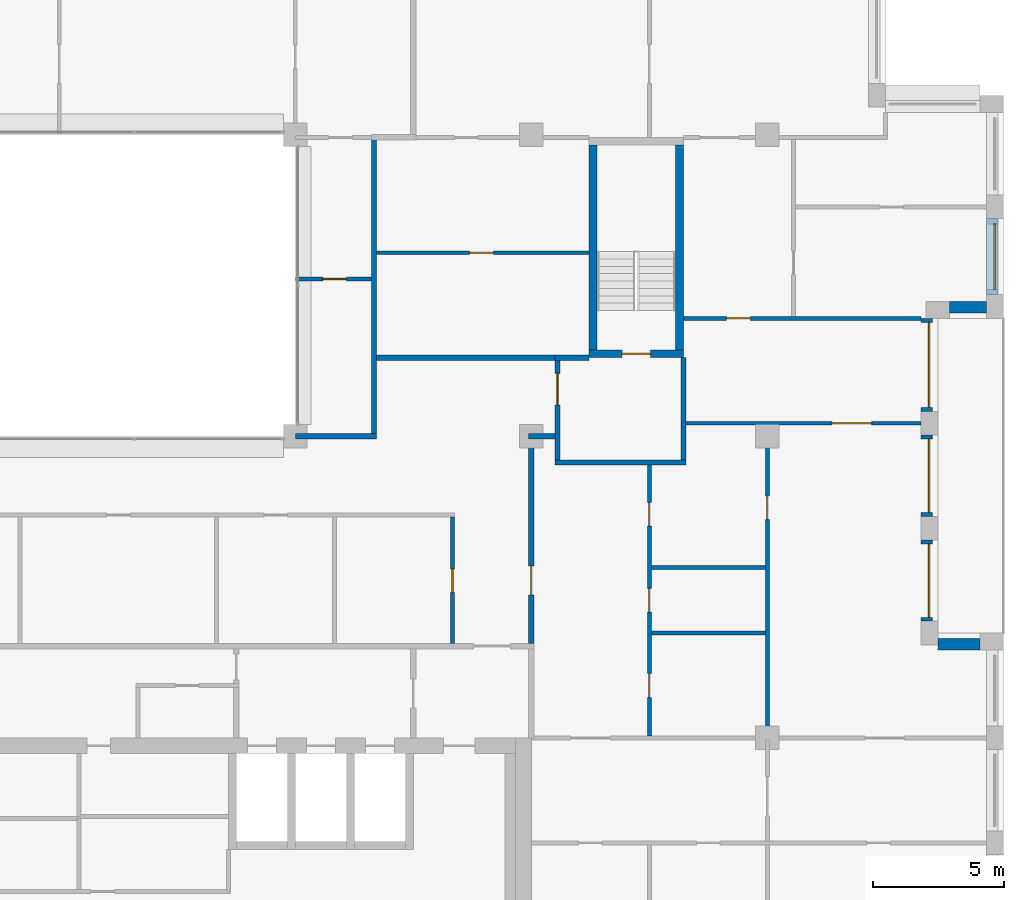
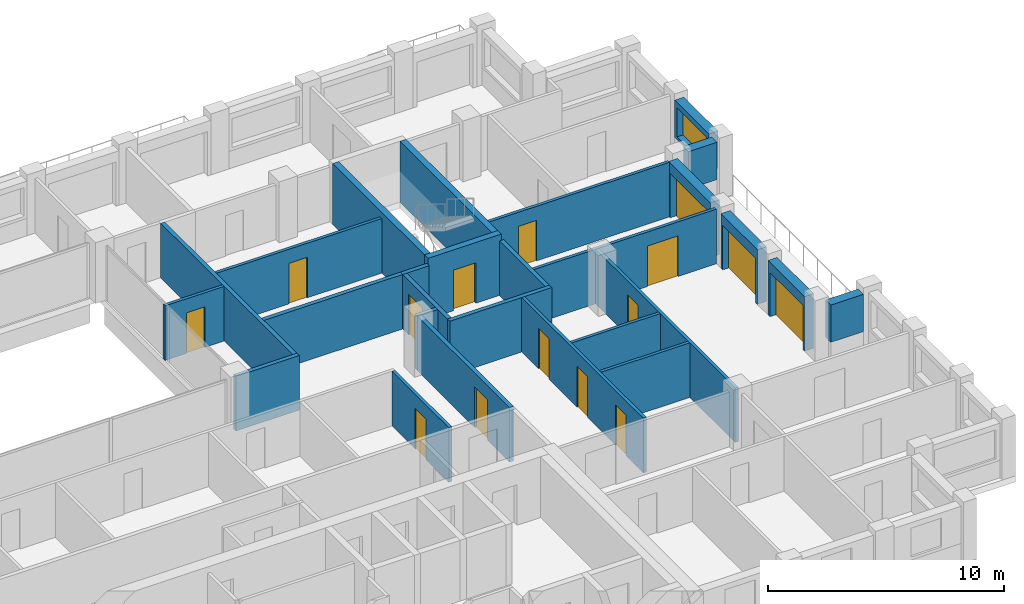
# One storey, part 12 of 15: 27 walls, 15 doors, 1 window, 16 openings.
"""IFC4 building model written with IfcOpenShell, lengths in metres."""

from ifc_helpers import new_model, si_unit, direction, frame, frame_2d, origin, place, context, subcontext, project, spatial, rectangle, extrude, material, layer, layer_set, type_object, element, fill, save


model = new_model("IFC4")

# Units and contexts
model_context = context("Model", 3, precision=1e-05, world=origin(), true_north=direction((0.0, 1.0)))
body_context = subcontext(model_context, "Body", "Model", "MODEL_VIEW")
ifc_project = project(units=[si_unit("LENGTHUNIT", "METRE"), si_unit("AREAUNIT", "SQUARE_METRE"), si_unit("VOLUMEUNIT", "CUBIC_METRE"), si_unit("PLANEANGLEUNIT", "RADIAN"), si_unit("MASSUNIT", "GRAM", prefix="KILO")], contexts=[model_context])

# Site, building, storey
site_placement = place(None, origin())
site = spatial("IfcSite", under=ifc_project, at=site_placement, CompositionType="ELEMENT")
building_placement = place(site_placement, origin())
building = spatial("IfcBuilding", under=site, at=building_placement, Name="Brigalow Station Residences", CompositionType="ELEMENT")
storey_placement = place(building_placement, frame((0.0, 0.0, 229.5)))
storey = spatial("IfcBuildingStorey", under=building, at=storey_placement, Name="L66", CompositionType="ELEMENT", Elevation=229.5)

# Wall
ifc_material_1 = material(Name="Clay brick masonry", Category="masonry")
ifc_layer_1 = layer(ifc_material_1, 0.449951171875)
ifc_layer_set_1 = layer_set([ifc_layer_1], Name="BRICK INFILL WALL 450")
wall_type_1 = type_object("IfcWallType", Name="BRICK INFILL WALL 450", PredefinedType="SOLIDWALL", material=ifc_layer_set_1)
wall_1_placement = place(storey_placement, frame((71.10009765625, 16.074951171875, 0.89990234375), z_axis=(0.0, 0.0, 1.0), x_axis=(-1.0, 0.0, 0.0)))
element("IfcWall", 1, at=wall_1_placement, inside=storey, type_object=wall_type_1, Name="L66/ewall/W-L66-11", PredefinedType="SOLIDWALL", context=body_context, shape_type="SweptSolid", body=[
    extrude(rectangle(XDim=1.60009765625, YDim=0.449951171875, at=frame_2d((0.800048828125, 0.0))), origin(), (0.0, 0.0, 1.0), 1.93017578125),
])

# Wall, opening, door
wall_2_placement = place(storey_placement, frame((69.074951171875, 16.949951171875, 0.0), z_axis=(0.0, 0.0, 1.0), x_axis=(0.0, 1.0, 0.0)))
wall_2 = element("IfcWall", 2, at=wall_2_placement, inside=storey, type_object=wall_type_1, Name="L66/ewall/W-L66-12", PredefinedType="SOLIDWALL", context=body_context, shape_type="SweptSolid", body=[
    extrude(rectangle(XDim=3.10009765625, YDim=0.449951171875, at=frame_2d((1.550048828125, 0.0))), origin(), (0.0, 0.0, 1.0), 2.830078125),
])
opening_1_placement = place(wall_2_placement, frame((0.14990234375, 0.0, 0.0)))
opening_1 = element("IfcOpeningElement", 3, at=opening_1_placement, cuts=wall_2, Name="Opening D-B2800", PredefinedType="OPENING", context=body_context, shape_type="SweptSolid", body=[
    extrude(rectangle(XDim=2.800048828125, YDim=2.300048828125, at=frame_2d((1.39990234375, 1.14990234375))), frame((0.0, 0.23486328125, 0.0), z_axis=(0.0, -1.0, 0.0), x_axis=(1.0, 0.0, 0.0)), (0.0, 0.0, 1.0), 0.469970703125),
])
ifc_material_2 = material(Name="Anodised aluminium frame with double glazing", Category="aluminium")
door_type_1 = type_object("IfcDoorType", Name="BALCONY SLIDING DOOR 2800x2300", OperationType="SLIDING_TO_LEFT", PredefinedType="DOOR", material=ifc_material_2)
door_1_placement = place(opening_1_placement, origin())
door_1 = element("IfcDoor", 4, at=door_1_placement, inside=storey, type_object=door_type_1, Name="L66/balcony-door/W-L66-12", OperationType="SLIDING_TO_LEFT", OverallHeight=2.300048828125, OverallWidth=2.800048828125, PredefinedType="DOOR", context=body_context, shape_type="SweptSolid", body=[
    extrude(rectangle(XDim=2.800048828125, YDim=2.300048828125, at=frame_2d((1.39990234375, 1.14990234375))), frame((0.0, -0.06982421875, 0.0), z_axis=(0.0, -1.0, 0.0), x_axis=(1.0, 0.0, 0.0)), (0.0, 0.0, 1.0), 0.050048828125),
])
fill(opening_1, door_1)

wall_3_placement = place(storey_placement, frame((69.074951171875, 20.949951171875, 0.0), z_axis=(0.0, 0.0, 1.0), x_axis=(0.0, 1.0, 0.0)))
wall_3 = element("IfcWall", 5, at=wall_3_placement, inside=storey, type_object=wall_type_1, Name="L66/ewall/W-L66-13", PredefinedType="SOLIDWALL", context=body_context, shape_type="SweptSolid", body=[
    extrude(rectangle(XDim=3.10009765625, YDim=0.449951171875, at=frame_2d((1.550048828125, 0.0))), origin(), (0.0, 0.0, 1.0), 2.830078125),
])
opening_2_placement = place(wall_3_placement, frame((0.14990234375, 0.0, 0.0)))
opening_2 = element("IfcOpeningElement", 6, at=opening_2_placement, cuts=wall_3, Name="Opening D-B2800", PredefinedType="OPENING", context=body_context, shape_type="SweptSolid", body=[
    extrude(rectangle(XDim=2.800048828125, YDim=2.300048828125, at=frame_2d((1.39990234375, 1.14990234375))), frame((0.0, 0.23486328125, 0.0), z_axis=(0.0, -1.0, 0.0), x_axis=(1.0, 0.0, 0.0)), (0.0, 0.0, 1.0), 0.469970703125),
])
door_2_placement = place(opening_2_placement, origin())
door_2 = element("IfcDoor", 7, at=door_2_placement, inside=storey, type_object=door_type_1, Name="L66/balcony-door/W-L66-13", OperationType="SLIDING_TO_LEFT", OverallHeight=2.300048828125, OverallWidth=2.800048828125, PredefinedType="DOOR", context=body_context, shape_type="SweptSolid", body=[
    extrude(rectangle(XDim=2.800048828125, YDim=2.300048828125, at=frame_2d((1.39990234375, 1.14990234375))), frame((0.0, -0.06982421875, 0.0), z_axis=(0.0, -1.0, 0.0), x_axis=(1.0, 0.0, 0.0)), (0.0, 0.0, 1.0), 0.050048828125),
])
fill(opening_2, door_2)

wall_4_placement = place(storey_placement, frame((69.074951171875, 24.949951171875, 0.0), z_axis=(0.0, 0.0, 1.0), x_axis=(0.0, 1.0, 0.0)))
wall_4 = element("IfcWall", 8, at=wall_4_placement, inside=storey, type_object=wall_type_1, Name="L66/ewall/W-L66-14", PredefinedType="SOLIDWALL", context=body_context, shape_type="SweptSolid", body=[
    extrude(rectangle(XDim=3.550048828125, YDim=0.449951171875, at=frame_2d((1.77490234375, 0.0))), origin(), (0.0, 0.0, 1.0), 2.830078125),
])
opening_3_placement = place(wall_4_placement, frame((0.14990234375, 0.0, 0.0)))
opening_3 = element("IfcOpeningElement", 9, at=opening_3_placement, cuts=wall_4, Name="Opening D-B3250", PredefinedType="OPENING", context=body_context, shape_type="SweptSolid", body=[
    extrude(rectangle(XDim=3.25, YDim=2.300048828125, at=frame_2d((1.625, 1.14990234375))), frame((0.0, 0.23486328125, 0.0), z_axis=(0.0, -1.0, 0.0), x_axis=(1.0, 0.0, 0.0)), (0.0, 0.0, 1.0), 0.469970703125),
])
ifc_material_3 = material(Name="Anodised aluminium frame with double glazing", Category="aluminium")
door_type_2 = type_object("IfcDoorType", Name="BALCONY SLIDING DOOR 3250x2300", OperationType="SLIDING_TO_LEFT", PredefinedType="DOOR", material=ifc_material_3)
door_3_placement = place(opening_3_placement, origin())
door_3 = element("IfcDoor", 10, at=door_3_placement, inside=storey, type_object=door_type_2, Name="L66/balcony-door/W-L66-14", OperationType="SLIDING_TO_LEFT", OverallHeight=2.300048828125, OverallWidth=3.25, PredefinedType="DOOR", context=body_context, shape_type="SweptSolid", body=[
    extrude(rectangle(XDim=3.25, YDim=2.300048828125, at=frame_2d((1.625, 1.14990234375))), frame((0.0, -0.06982421875, 0.0), z_axis=(0.0, -1.0, 0.0), x_axis=(1.0, 0.0, 0.0)), (0.0, 0.0, 1.0), 0.050048828125),
])
fill(opening_3, door_3)

# Wall
wall_5_placement = place(storey_placement, frame((69.949951171875, 28.925048828125, 0.89990234375), z_axis=(0.0, 0.0, 1.0), x_axis=(1.0, 0.0, 0.0)))
element("IfcWall", 11, at=wall_5_placement, inside=storey, type_object=wall_type_1, Name="L66/ewall/W-L66-15", PredefinedType="SOLIDWALL", context=body_context, shape_type="SweptSolid", body=[
    extrude(rectangle(XDim=1.400146484375, YDim=0.449951171875, at=frame_2d((0.7001953125, 0.0))), origin(), (0.0, 0.0, 1.0), 1.93017578125),
])

# Wall, opening, window
wall_6_placement = place(storey_placement, frame((71.574951171875, 29.39990234375, 0.89990234375), z_axis=(0.0, 0.0, 1.0), x_axis=(0.0, 1.0, 0.0)))
wall_6 = element("IfcWall", 12, at=wall_6_placement, inside=storey, type_object=wall_type_1, Name="L66/ewall/W-L66-16", PredefinedType="SOLIDWALL", context=body_context, shape_type="SweptSolid", body=[
    extrude(rectangle(XDim=2.900146484375, YDim=0.449951171875, at=frame_2d((1.4501953125, 0.0))), origin(), (0.0, 0.0, 1.0), 1.93017578125),
])
opening_4_placement = place(wall_6_placement, frame((0.199951171875, 0.0, 0.14990234375)))
opening_4 = element("IfcOpeningElement", 13, at=opening_4_placement, cuts=wall_6, Name="Opening WT-5", PredefinedType="OPENING", context=body_context, shape_type="SweptSolid", body=[
    extrude(rectangle(XDim=2.5, YDim=1.5, at=frame_2d((1.25, 0.75))), frame((0.0, 0.23486328125, 0.0), z_axis=(0.0, -1.0, 0.0), x_axis=(1.0, 0.0, 0.0)), (0.0, 0.0, 1.0), 0.469970703125),
])
ifc_material_4 = material(Name="Anodised aluminium frame with double glazing", Category="aluminium")
window_type = type_object("IfcWindowType", Name="WINDOW 2500x1500", PartitioningType="SINGLE_PANEL", PredefinedType="WINDOW", material=ifc_material_4)
window_placement = place(opening_4_placement, origin())
window = element("IfcWindow", 14, at=window_placement, inside=storey, type_object=window_type, Name="L66/window/W-L66-16", OverallHeight=1.5, OverallWidth=2.5, PartitioningType="SINGLE_PANEL", PredefinedType="WINDOW", context=body_context, shape_type="SweptSolid", body=[
    extrude(rectangle(XDim=2.5, YDim=1.5, at=frame_2d((1.25, 0.75))), frame((0.0, -0.06494140625, 0.0), z_axis=(0.0, -1.0, 0.0), x_axis=(1.0, 0.0, 0.0)), (0.0, 0.0, 1.0), 0.06005859375),
])
fill(opening_4, window)

# Wall, opening, door
ifc_material_5 = material(Name="Concrete C50", Category="concrete")
ifc_layer_2 = layer(ifc_material_5, 0.300048828125)
ifc_layer_set_2 = layer_set([ifc_layer_2], Name="CORE SHEAR WALL 300 C50")
wall_type_2 = type_object("IfcWallType", Name="CORE SHEAR WALL 300 C50", PredefinedType="SHEAR", material=ifc_layer_set_2)
wall_7_placement = place(storey_placement, frame((56.199951171875, 27.14990234375, 0.0), z_axis=(0.0, 0.0, 1.0), x_axis=(1.0, 0.0, 0.0)))
wall_7 = element("IfcWall", 15, at=wall_7_placement, inside=storey, type_object=wall_type_2, Name="CORE WALL ST-S3-S L66", PredefinedType="SHEAR", context=body_context, shape_type="SweptSolid", body=[
    extrude(rectangle(XDim=3.60009765625, YDim=0.300048828125, at=frame_2d((1.800048828125, 0.0))), origin(), (0.0, 0.0, 1.0), 3.14990234375),
])
opening_5_placement = place(wall_7_placement, frame((1.25, 0.0, 0.0)))
opening_5 = element("IfcOpeningElement", 16, at=opening_5_placement, cuts=wall_7, Name="Opening D-5018", PredefinedType="OPENING", context=body_context, shape_type="SweptSolid", body=[
    extrude(rectangle(XDim=1.10009765625, YDim=2.10009765625, at=frame_2d((0.550048828125, 1.050048828125))), frame((0.0, 0.16015625, 0.0), z_axis=(0.0, -1.0, 0.0), x_axis=(1.0, 0.0, 0.0)), (0.0, 0.0, 1.0), 0.320068359375),
])
ifc_material_6 = material(Name="Steel fire door leaf in steel frame", Category="steel")
door_type_3 = type_object("IfcDoorType", Name="STAIR DOOR 1100 x 2100 FD60S", OperationType="SINGLE_SWING_LEFT", PredefinedType="DOOR", material=ifc_material_6)
door_4_placement = place(opening_5_placement, origin())
door_4 = element("IfcDoor", 17, at=door_4_placement, inside=storey, type_object=door_type_3, Name="D-5018", OperationType="SINGLE_SWING_LEFT", OverallHeight=2.10009765625, OverallWidth=1.10009765625, PredefinedType="DOOR", context=body_context, shape_type="SweptSolid", body=[
    extrude(rectangle(XDim=1.10009765625, YDim=2.10009765625, at=frame_2d((0.550048828125, 1.050048828125))), frame((0.0, 0.02490234375, 0.0), z_axis=(0.0, -1.0, 0.0), x_axis=(1.0, 0.0, 0.0)), (0.0, 0.0, 1.0), 0.050048828125),
])
fill(opening_5, door_4)

# Walls
for number, where, z_axis, x_axis, name in (
    (18, (56.35009765625, 27.300048828125, 0.0), (0.0, 0.0, 1.0), (0.0, 1.0, 0.0), "CORE WALL ST-S3-W L66"),
    (19, (59.64990234375, 27.300048828125, 0.0), (0.0, 0.0, 1.0), (0.0, 1.0, 0.0), "CORE WALL ST-S3-E L66"),
):
    element("IfcWall", number, at=place(storey_placement, frame(where, z_axis=z_axis, x_axis=x_axis)), inside=storey, type_object=wall_type_2, Name=name, PredefinedType="SHEAR", context=body_context, shape_type="SweptSolid", body=[
        extrude(rectangle(XDim=7.800048828125, YDim=0.300048828125, at=frame_2d((3.89990234375, 0.0))), origin(), (0.0, 0.0, 1.0), 3.14990234375),
    ])
ifc_material_7 = material(Name="Concrete blockwork", Category="masonry")
ifc_layer_3 = layer(ifc_material_7, 0.199951171875)
ifc_layer_set_3 = layer_set([ifc_layer_3], Name="FIRE RATED CORE PARTITION 200")
wall_type_3 = type_object("IfcWallType", Name="FIRE RATED CORE PARTITION 200", PredefinedType="PARTITIONING", material=ifc_layer_set_3)
wall_8_placement = place(storey_placement, frame((54.89990234375, 23.0, 0.0), z_axis=(0.0, 0.0, 1.0), x_axis=(1.0, 0.0, 0.0)))
element("IfcWall", 20, at=wall_8_placement, inside=storey, type_object=wall_type_3, Name="PW-5024", PredefinedType="PARTITIONING", context=body_context, shape_type="SweptSolid", body=[
    extrude(rectangle(XDim=5.0, YDim=0.199951171875, at=frame_2d((2.5, 0.0))), origin(), (0.0, 0.0, 1.0), 2.830078125),
])
wall_9_placement = place(storey_placement, frame((54.89990234375, 27.0, 0.0), z_axis=(0.0, 0.0, 1.0), x_axis=(1.0, 0.0, 0.0)))
element("IfcWall", 21, at=wall_9_placement, inside=storey, type_object=wall_type_3, Name="PW-5026", PredefinedType="PARTITIONING", context=body_context, shape_type="SweptSolid", body=[
    extrude(rectangle(XDim=1.300048828125, YDim=0.199951171875, at=frame_2d((0.64990234375, 0.0))), origin(), (0.0, 0.0, 1.0), 2.830078125),
])

# Wall, opening, door
wall_10_placement = place(storey_placement, frame((55.0, 23.10009765625, 0.0), z_axis=(0.0, 0.0, 1.0), x_axis=(0.0, 1.0, 0.0)))
wall_10 = element("IfcWall", 22, at=wall_10_placement, inside=storey, type_object=wall_type_3, Name="PW-5036", PredefinedType="PARTITIONING", context=body_context, shape_type="SweptSolid", body=[
    extrude(rectangle(XDim=3.7998046875, YDim=0.199951171875, at=frame_2d((1.89990234375, 0.0))), origin(), (0.0, 0.0, 1.0), 2.830078125),
])
opening_6_placement = place(wall_10_placement, frame((2.10009765625, 0.0, 0.0)))
opening_6 = element("IfcOpeningElement", 23, at=opening_6_placement, cuts=wall_10, Name="Opening D-5019", PredefinedType="OPENING", context=body_context, shape_type="SweptSolid", body=[
    extrude(rectangle(XDim=1.199951171875, YDim=2.10009765625, at=frame_2d((0.60009765625, 1.050048828125))), frame((0.0, 0.10986328125, 0.0), z_axis=(0.0, -1.0, 0.0), x_axis=(1.0, 0.0, 0.0)), (0.0, 0.0, 1.0), 0.219970703125),
])
ifc_material_8 = material(Name="Steel fire door leaf in steel frame", Category="steel")
door_type_4 = type_object("IfcDoorType", Name="STAIR LOBBY DOOR 1200 x 2100 FD60S", OperationType="SINGLE_SWING_LEFT", PredefinedType="DOOR", material=ifc_material_8)
door_5_placement = place(opening_6_placement, frame((1.199951171875, 0.0, 0.0), z_axis=(0.0, 0.0, 1.0), x_axis=(-1.0, 0.0, 0.0)))
door_5 = element("IfcDoor", 24, at=door_5_placement, inside=storey, type_object=door_type_4, Name="D-5019", OperationType="SINGLE_SWING_LEFT", OverallHeight=2.10009765625, OverallWidth=1.199951171875, PredefinedType="DOOR", context=body_context, shape_type="SweptSolid", body=[
    extrude(rectangle(XDim=1.199951171875, YDim=2.10009765625, at=frame_2d((0.60009765625, 1.050048828125))), frame((0.0, 0.02490234375, 0.0), z_axis=(0.0, -1.0, 0.0), x_axis=(1.0, 0.0, 0.0)), (0.0, 0.0, 1.0), 0.050048828125),
])
fill(opening_6, door_5)

# Walls
wall_11_placement = place(storey_placement, frame((59.800048828125, 23.10009765625, 0.0), z_axis=(0.0, 0.0, 1.0), x_axis=(0.0, 1.0, 0.0)))
element("IfcWall", 25, at=wall_11_placement, inside=storey, type_object=wall_type_3, Name="PW-5037", PredefinedType="PARTITIONING", context=body_context, shape_type="SweptSolid", body=[
    extrude(rectangle(XDim=3.89990234375, YDim=0.199951171875, at=frame_2d((1.949951171875, 0.0))), origin(), (0.0, 0.0, 1.0), 2.830078125),
])
ifc_material_9 = material(Name="Plasterboard on steel stud partition", Category="steel")
ifc_layer_4 = layer(ifc_material_9, 0.14990234375)
ifc_layer_set_4 = layer_set([ifc_layer_4], Name="FLAT PARTITION 150")
wall_type_4 = type_object("IfcWallType", Name="FLAT PARTITION 150", PredefinedType="PARTITIONING", material=ifc_layer_set_4)
wall_12_placement = place(storey_placement, frame((58.574951171875, 16.5, 0.0), z_axis=(0.0, 0.0, 1.0), x_axis=(1.0, 0.0, 0.0)))
element("IfcWall", 26, at=wall_12_placement, inside=storey, type_object=wall_type_4, Name="PW-4E10", PredefinedType="PARTITIONING", context=body_context, shape_type="SweptSolid", body=[
    extrude(rectangle(XDim=4.35009765625, YDim=0.14990234375, at=frame_2d((2.175048828125, 0.0))), origin(), (0.0, 0.0, 1.0), 2.830078125),
])

# Wall, opening, door
wall_13_placement = place(storey_placement, frame((45.0, 30.0, 0.0), z_axis=(0.0, 0.0, 1.0), x_axis=(1.0, 0.0, 0.0)))
wall_13 = element("IfcWall", 27, at=wall_13_placement, inside=storey, type_object=wall_type_4, Name="PW-4E18", PredefinedType="PARTITIONING", context=body_context, shape_type="SweptSolid", body=[
    extrude(rectangle(XDim=2.89990234375, YDim=0.14990234375, at=frame_2d((1.449951171875, 0.0))), origin(), (0.0, 0.0, 1.0), 2.830078125),
])
opening_7_placement = place(wall_13_placement, frame((1.050048828125, 0.0, 0.0)))
opening_7 = element("IfcOpeningElement", 28, at=opening_7_placement, cuts=wall_13, Name="Opening D-4E23", PredefinedType="OPENING", context=body_context, shape_type="SweptSolid", body=[
    extrude(rectangle(XDim=0.89990234375, YDim=2.10009765625, at=frame_2d((0.449951171875, 1.050048828125))), frame((0.0, 0.0849609375, 0.0), z_axis=(0.0, -1.0, 0.0), x_axis=(1.0, 0.0, 0.0)), (0.0, 0.0, 1.0), 0.169921875),
])
ifc_material_10 = material(Name="Solid-core timber door leaf", Category="wood")
door_type_5 = type_object("IfcDoorType", Name="INTERNAL DOOR 900 x 2100", OperationType="SINGLE_SWING_LEFT", PredefinedType="DOOR", material=ifc_material_10)
door_6_placement = place(opening_7_placement, origin())
door_6 = element("IfcDoor", 29, at=door_6_placement, inside=storey, type_object=door_type_5, Name="D-4E23", OperationType="SINGLE_SWING_RIGHT", OverallHeight=2.10009765625, OverallWidth=0.89990234375, PredefinedType="DOOR", context=body_context, shape_type="SweptSolid", body=[
    extrude(rectangle(XDim=0.89990234375, YDim=2.10009765625, at=frame_2d((0.449951171875, 1.050048828125))), frame((0.0, 0.02490234375, 0.0), z_axis=(0.0, -1.0, 0.0), x_axis=(1.0, 0.0, 0.0)), (0.0, 0.0, 1.0), 0.050048828125),
])
fill(opening_7, door_6)

wall_14_placement = place(storey_placement, frame((48.10009765625, 31.0, 0.0), z_axis=(0.0, 0.0, 1.0), x_axis=(1.0, 0.0, 0.0)))
wall_14 = element("IfcWall", 30, at=wall_14_placement, inside=storey, type_object=wall_type_4, Name="PW-4E25", PredefinedType="PARTITIONING", context=body_context, shape_type="SweptSolid", body=[
    extrude(rectangle(XDim=8.099853515625, YDim=0.14990234375, at=frame_2d((4.0498046875, 0.0))), origin(), (0.0, 0.0, 1.0), 2.830078125),
])
opening_8_placement = place(wall_14_placement, frame((3.550048828125, 0.0, 0.0)))
opening_8 = element("IfcOpeningElement", 31, at=opening_8_placement, cuts=wall_14, Name="Opening D-4E43", PredefinedType="OPENING", context=body_context, shape_type="SweptSolid", body=[
    extrude(rectangle(XDim=0.89990234375, YDim=2.10009765625, at=frame_2d((0.449951171875, 1.050048828125))), frame((0.0, 0.0849609375, 0.0), z_axis=(0.0, -1.0, 0.0), x_axis=(1.0, 0.0, 0.0)), (0.0, 0.0, 1.0), 0.169921875),
])
door_7_placement = place(opening_8_placement, frame((0.89990234375, 0.0, 0.0), z_axis=(0.0, 0.0, 1.0), x_axis=(-1.0, 0.0, 0.0)))
door_7 = element("IfcDoor", 32, at=door_7_placement, inside=storey, type_object=door_type_5, Name="D-4E43", OperationType="SINGLE_SWING_RIGHT", OverallHeight=2.10009765625, OverallWidth=0.89990234375, PredefinedType="DOOR", context=body_context, shape_type="SweptSolid", body=[
    extrude(rectangle(XDim=0.89990234375, YDim=2.10009765625, at=frame_2d((0.449951171875, 1.050048828125))), frame((0.0, 0.02490234375, 0.0), z_axis=(0.0, -1.0, 0.0), x_axis=(1.0, 0.0, 0.0)), (0.0, 0.0, 1.0), 0.050048828125),
])
fill(opening_8, door_7)

# Wall
wall_15_placement = place(storey_placement, frame((58.574951171875, 19.0, 0.0), z_axis=(0.0, 0.0, 1.0), x_axis=(1.0, 0.0, 0.0)))
element("IfcWall", 33, at=wall_15_placement, inside=storey, type_object=wall_type_4, Name="PW-4E28", PredefinedType="PARTITIONING", context=body_context, shape_type="SweptSolid", body=[
    extrude(rectangle(XDim=4.35009765625, YDim=0.14990234375, at=frame_2d((2.175048828125, 0.0))), origin(), (0.0, 0.0, 1.0), 2.830078125),
])

# Wall, opening, door
wall_16_placement = place(storey_placement, frame((59.89990234375, 24.5, 0.0), z_axis=(0.0, 0.0, 1.0), x_axis=(1.0, 0.0, 0.0)))
wall_16 = element("IfcWall", 34, at=wall_16_placement, inside=storey, type_object=wall_type_4, Name="PW-4E29", PredefinedType="PARTITIONING", context=body_context, shape_type="SweptSolid", body=[
    extrude(rectangle(XDim=8.9501953125, YDim=0.14990234375, at=frame_2d((4.47509765625, 0.0))), origin(), (0.0, 0.0, 1.0), 2.830078125),
])
opening_9_placement = place(wall_16_placement, frame((5.574951171875, 0.0, 0.0)))
opening_9 = element("IfcOpeningElement", 35, at=opening_9_placement, cuts=wall_16, Name="Opening D-4E36", PredefinedType="OPENING", context=body_context, shape_type="SweptSolid", body=[
    extrude(rectangle(XDim=1.5, YDim=2.10009765625, at=frame_2d((0.75, 1.050048828125))), frame((0.0, 0.0849609375, 0.0), z_axis=(0.0, -1.0, 0.0), x_axis=(1.0, 0.0, 0.0)), (0.0, 0.0, 1.0), 0.169921875),
])
ifc_material_11 = material(Name="Solid-core timber door leaf", Category="wood")
door_type_6 = type_object("IfcDoorType", Name="INTERNAL DOUBLE DOOR 1500 x 2100", OperationType="DOUBLE_DOOR_SINGLE_SWING", PredefinedType="DOOR", material=ifc_material_11)
door_8_placement = place(opening_9_placement, origin())
door_8 = element("IfcDoor", 36, at=door_8_placement, inside=storey, type_object=door_type_6, Name="D-4E36", OperationType="DOUBLE_DOOR_SINGLE_SWING", OverallHeight=2.10009765625, OverallWidth=1.5, PredefinedType="DOOR", context=body_context, shape_type="SweptSolid", body=[
    extrude(rectangle(XDim=1.5, YDim=2.10009765625, at=frame_2d((0.75, 1.050048828125))), frame((0.0, 0.02490234375, 0.0), z_axis=(0.0, -1.0, 0.0), x_axis=(1.0, 0.0, 0.0)), (0.0, 0.0, 1.0), 0.050048828125),
])
fill(opening_9, door_8)

wall_17_placement = place(storey_placement, frame((59.800048828125, 28.5, 0.0), z_axis=(0.0, 0.0, 1.0), x_axis=(1.0, 0.0, 0.0)))
wall_17 = element("IfcWall", 37, at=wall_17_placement, inside=storey, type_object=wall_type_4, Name="PW-4E30", PredefinedType="PARTITIONING", context=body_context, shape_type="SweptSolid", body=[
    extrude(rectangle(XDim=9.050048828125, YDim=0.14990234375, at=frame_2d((4.52490234375, 0.0))), origin(), (0.0, 0.0, 1.0), 2.830078125),
])
opening_10_placement = place(wall_17_placement, frame((1.64990234375, 0.0, 0.0)))
opening_10 = element("IfcOpeningElement", 38, at=opening_10_placement, cuts=wall_17, Name="Opening D-4E37", PredefinedType="OPENING", context=body_context, shape_type="SweptSolid", body=[
    extrude(rectangle(XDim=0.89990234375, YDim=2.10009765625, at=frame_2d((0.449951171875, 1.050048828125))), frame((0.0, 0.0849609375, 0.0), z_axis=(0.0, -1.0, 0.0), x_axis=(1.0, 0.0, 0.0)), (0.0, 0.0, 1.0), 0.169921875),
])
door_9_placement = place(opening_10_placement, frame((0.89990234375, 0.0, 0.0), z_axis=(0.0, 0.0, 1.0), x_axis=(-1.0, 0.0, 0.0)))
door_9 = element("IfcDoor", 39, at=door_9_placement, inside=storey, type_object=door_type_5, Name="D-4E37", OperationType="SINGLE_SWING_RIGHT", OverallHeight=2.10009765625, OverallWidth=0.89990234375, PredefinedType="DOOR", context=body_context, shape_type="SweptSolid", body=[
    extrude(rectangle(XDim=0.89990234375, YDim=2.10009765625, at=frame_2d((0.449951171875, 1.050048828125))), frame((0.0, 0.02490234375, 0.0), z_axis=(0.0, -1.0, 0.0), x_axis=(1.0, 0.0, 0.0)), (0.0, 0.0, 1.0), 0.050048828125),
])
fill(opening_10, door_9)

wall_18_placement = place(storey_placement, frame((51.0, 16.10009765625, 0.0), z_axis=(0.0, 0.0, 1.0), x_axis=(0.0, 1.0, 0.0)))
wall_18 = element("IfcWall", 40, at=wall_18_placement, inside=storey, type_object=wall_type_4, Name="PW-4E35", PredefinedType="PARTITIONING", context=body_context, shape_type="SweptSolid", body=[
    extrude(rectangle(XDim=4.824951171875, YDim=0.14990234375, at=frame_2d((2.41259765625, 0.0))), origin(), (0.0, 0.0, 1.0), 2.830078125),
])
opening_11_placement = place(wall_18_placement, frame((1.949951171875, 0.0, 0.0)))
opening_11 = element("IfcOpeningElement", 41, at=opening_11_placement, cuts=wall_18, Name="Opening D-4E49", PredefinedType="OPENING", context=body_context, shape_type="SweptSolid", body=[
    extrude(rectangle(XDim=0.89990234375, YDim=2.10009765625, at=frame_2d((0.449951171875, 1.050048828125))), frame((0.0, 0.0849609375, 0.0), z_axis=(0.0, -1.0, 0.0), x_axis=(1.0, 0.0, 0.0)), (0.0, 0.0, 1.0), 0.169921875),
])
door_10_placement = place(opening_11_placement, origin())
door_10 = element("IfcDoor", 42, at=door_10_placement, inside=storey, type_object=door_type_5, Name="D-4E49", OperationType="SINGLE_SWING_LEFT", OverallHeight=2.10009765625, OverallWidth=0.89990234375, PredefinedType="DOOR", context=body_context, shape_type="SweptSolid", body=[
    extrude(rectangle(XDim=0.89990234375, YDim=2.10009765625, at=frame_2d((0.449951171875, 1.050048828125))), frame((0.0, 0.02490234375, 0.0), z_axis=(0.0, -1.0, 0.0), x_axis=(1.0, 0.0, 0.0)), (0.0, 0.0, 1.0), 0.050048828125),
])
fill(opening_11, door_10)

# Wall, openings, doors
wall_19_placement = place(storey_placement, frame((58.5, 12.574951171875, 0.0), z_axis=(0.0, 0.0, 1.0), x_axis=(0.0, 1.0, 0.0)))
wall_19 = element("IfcWall", 43, at=wall_19_placement, inside=storey, type_object=wall_type_4, Name="PW-4E47", PredefinedType="PARTITIONING", context=body_context, shape_type="SweptSolid", body=[
    extrude(rectangle(XDim=10.324951171875, YDim=0.14990234375, at=frame_2d((5.16259765625, 0.0))), origin(), (0.0, 0.0, 1.0), 2.830078125),
])
opening_12_placement = place(wall_19_placement, frame((1.47509765625, 0.0, 0.0)))
opening_12 = element("IfcOpeningElement", 44, at=opening_12_placement, cuts=wall_19, Name="Opening D-4E26", PredefinedType="OPENING", context=body_context, shape_type="SweptSolid", body=[
    extrude(rectangle(XDim=0.89990234375, YDim=2.10009765625, at=frame_2d((0.449951171875, 1.050048828125))), frame((0.0, 0.0849609375, 0.0), z_axis=(0.0, -1.0, 0.0), x_axis=(1.0, 0.0, 0.0)), (0.0, 0.0, 1.0), 0.169921875),
])
opening_13_placement = place(wall_19_placement, frame((4.72509765625, 0.0, 0.0)))
opening_13 = element("IfcOpeningElement", 45, at=opening_13_placement, cuts=wall_19, Name="Opening D-4E27", PredefinedType="OPENING", context=body_context, shape_type="SweptSolid", body=[
    extrude(rectangle(XDim=0.89990234375, YDim=2.10009765625, at=frame_2d((0.449951171875, 1.050048828125))), frame((0.0, 0.0849609375, 0.0), z_axis=(0.0, -1.0, 0.0), x_axis=(1.0, 0.0, 0.0)), (0.0, 0.0, 1.0), 0.169921875),
])
opening_14_placement = place(wall_19_placement, frame((8.0, 0.0, 0.0)))
opening_14 = element("IfcOpeningElement", 46, at=opening_14_placement, cuts=wall_19, Name="Opening D-4E34", PredefinedType="OPENING", context=body_context, shape_type="SweptSolid", body=[
    extrude(rectangle(XDim=0.89990234375, YDim=2.10009765625, at=frame_2d((0.449951171875, 1.050048828125))), frame((0.0, 0.0849609375, 0.0), z_axis=(0.0, -1.0, 0.0), x_axis=(1.0, 0.0, 0.0)), (0.0, 0.0, 1.0), 0.169921875),
])
door_11_placement = place(opening_12_placement, frame((0.89990234375, 0.0, 0.0), z_axis=(0.0, 0.0, 1.0), x_axis=(-1.0, 0.0, 0.0)))
door_11 = element("IfcDoor", 47, at=door_11_placement, inside=storey, type_object=door_type_5, Name="D-4E26", OperationType="SINGLE_SWING_RIGHT", OverallHeight=2.10009765625, OverallWidth=0.89990234375, PredefinedType="DOOR", context=body_context, shape_type="SweptSolid", body=[
    extrude(rectangle(XDim=0.89990234375, YDim=2.10009765625, at=frame_2d((0.449951171875, 1.050048828125))), frame((0.0, 0.02490234375, 0.0), z_axis=(0.0, -1.0, 0.0), x_axis=(1.0, 0.0, 0.0)), (0.0, 0.0, 1.0), 0.050048828125),
])
fill(opening_12, door_11)
door_12_placement = place(opening_13_placement, frame((0.89990234375, 0.0, 0.0), z_axis=(0.0, 0.0, 1.0), x_axis=(-1.0, 0.0, 0.0)))
door_12 = element("IfcDoor", 48, at=door_12_placement, inside=storey, type_object=door_type_5, Name="D-4E27", OperationType="SINGLE_SWING_LEFT", OverallHeight=2.10009765625, OverallWidth=0.89990234375, PredefinedType="DOOR", context=body_context, shape_type="SweptSolid", body=[
    extrude(rectangle(XDim=0.89990234375, YDim=2.10009765625, at=frame_2d((0.449951171875, 1.050048828125))), frame((0.0, 0.02490234375, 0.0), z_axis=(0.0, -1.0, 0.0), x_axis=(1.0, 0.0, 0.0)), (0.0, 0.0, 1.0), 0.050048828125),
])
fill(opening_13, door_12)
door_13_placement = place(opening_14_placement, frame((0.89990234375, 0.0, 0.0), z_axis=(0.0, 0.0, 1.0), x_axis=(-1.0, 0.0, 0.0)))
door_13 = element("IfcDoor", 49, at=door_13_placement, inside=storey, type_object=door_type_5, Name="D-4E34", OperationType="SINGLE_SWING_LEFT", OverallHeight=2.10009765625, OverallWidth=0.89990234375, PredefinedType="DOOR", context=body_context, shape_type="SweptSolid", body=[
    extrude(rectangle(XDim=0.89990234375, YDim=2.10009765625, at=frame_2d((0.449951171875, 1.050048828125))), frame((0.0, 0.02490234375, 0.0), z_axis=(0.0, -1.0, 0.0), x_axis=(1.0, 0.0, 0.0)), (0.0, 0.0, 1.0), 0.050048828125),
])
fill(opening_14, door_13)

# Wall, opening, door
wall_20_placement = place(storey_placement, frame((63.0, 12.574951171875, 0.0), z_axis=(0.0, 0.0, 1.0), x_axis=(0.0, 1.0, 0.0)))
wall_20 = element("IfcWall", 50, at=wall_20_placement, inside=storey, type_object=wall_type_4, Name="PW-4E51", PredefinedType="PARTITIONING", context=body_context, shape_type="SweptSolid", body=[
    extrude(rectangle(XDim=11.85009765625, YDim=0.14990234375, at=frame_2d((5.925048828125, 0.0))), origin(), (0.0, 0.0, 1.0), 2.830078125),
])
opening_15_placement = place(wall_20_placement, frame((8.25, 0.0, 0.0)))
opening_15 = element("IfcOpeningElement", 51, at=opening_15_placement, cuts=wall_20, Name="Opening D-4E35", PredefinedType="OPENING", context=body_context, shape_type="SweptSolid", body=[
    extrude(rectangle(XDim=0.89990234375, YDim=2.10009765625, at=frame_2d((0.449951171875, 1.050048828125))), frame((0.0, 0.0849609375, 0.0), z_axis=(0.0, -1.0, 0.0), x_axis=(1.0, 0.0, 0.0)), (0.0, 0.0, 1.0), 0.169921875),
])
door_14_placement = place(opening_15_placement, origin())
door_14 = element("IfcDoor", 52, at=door_14_placement, inside=storey, type_object=door_type_5, Name="D-4E35", OperationType="SINGLE_SWING_LEFT", OverallHeight=2.10009765625, OverallWidth=0.89990234375, PredefinedType="DOOR", context=body_context, shape_type="SweptSolid", body=[
    extrude(rectangle(XDim=0.89990234375, YDim=2.10009765625, at=frame_2d((0.449951171875, 1.050048828125))), frame((0.0, 0.02490234375, 0.0), z_axis=(0.0, -1.0, 0.0), x_axis=(1.0, 0.0, 0.0)), (0.0, 0.0, 1.0), 0.050048828125),
])
fill(opening_15, door_14)

# Walls
ifc_material_12 = material(Name="Plasterboard on steel stud partition", Category="steel")
ifc_layer_5 = layer(ifc_material_12, 0.199951171875)
ifc_layer_set_5 = layer_set([ifc_layer_5], Name="PARTY AND CORRIDOR WALL 200")
wall_type_5 = type_object("IfcWallType", Name="PARTY AND CORRIDOR WALL 200", PredefinedType="PARTITIONING", material=ifc_layer_set_5)
wall_21_placement = place(storey_placement, frame((45.0, 24.0, 0.0), z_axis=(0.0, 0.0, 1.0), x_axis=(1.0, 0.0, 0.0)))
element("IfcWall", 53, at=wall_21_placement, inside=storey, type_object=wall_type_5, Name="PW-4E03", PredefinedType="PARTITIONING", context=body_context, shape_type="SweptSolid", body=[
    extrude(rectangle(XDim=3.10009765625, YDim=0.199951171875, at=frame_2d((1.550048828125, 0.0))), origin(), (0.0, 0.0, 1.0), 2.830078125),
])
wall_22_placement = place(storey_placement, frame((53.89990234375, 24.0, 0.0), z_axis=(0.0, 0.0, 1.0), x_axis=(1.0, 0.0, 0.0)))
element("IfcWall", 54, at=wall_22_placement, inside=storey, type_object=wall_type_5, Name="PW-4E04", PredefinedType="PARTITIONING", context=body_context, shape_type="SweptSolid", body=[
    extrude(rectangle(XDim=1.0, YDim=0.199951171875, at=frame_2d((0.5, 0.0))), origin(), (0.0, 0.0, 1.0), 2.830078125),
])
wall_23_placement = place(storey_placement, frame((48.10009765625, 27.0, 0.0), z_axis=(0.0, 0.0, 1.0), x_axis=(1.0, 0.0, 0.0)))
element("IfcWall", 55, at=wall_23_placement, inside=storey, type_object=wall_type_5, Name="PW-4E07", PredefinedType="PARTITIONING", context=body_context, shape_type="SweptSolid", body=[
    extrude(rectangle(XDim=6.7998046875, YDim=0.199951171875, at=frame_2d((3.39990234375, 0.0))), origin(), (0.0, 0.0, 1.0), 2.830078125),
])

# Wall, opening, door
wall_24_placement = place(storey_placement, frame((54.0, 16.10009765625, 0.0), z_axis=(0.0, 0.0, 1.0), x_axis=(0.0, 1.0, 0.0)))
wall_24 = element("IfcWall", 56, at=wall_24_placement, inside=storey, type_object=wall_type_5, Name="PW-4E33", PredefinedType="PARTITIONING", context=body_context, shape_type="SweptSolid", body=[
    extrude(rectangle(XDim=7.7998046875, YDim=0.199951171875, at=frame_2d((3.89990234375, 0.0))), origin(), (0.0, 0.0, 1.0), 2.830078125),
])
opening_16_placement = place(wall_24_placement, frame((1.85009765625, 0.0, 0.0)))
opening_16 = element("IfcOpeningElement", 57, at=opening_16_placement, cuts=wall_24, Name="Opening D-4E24", PredefinedType="OPENING", context=body_context, shape_type="SweptSolid", body=[
    extrude(rectangle(XDim=1.10009765625, YDim=2.10009765625, at=frame_2d((0.550048828125, 1.050048828125))), frame((0.0, 0.10986328125, 0.0), z_axis=(0.0, -1.0, 0.0), x_axis=(1.0, 0.0, 0.0)), (0.0, 0.0, 1.0), 0.219970703125),
])
ifc_material_13 = material(Name="Solid-core timber door leaf", Category="wood")
door_type_7 = type_object("IfcDoorType", Name="FLAT ENTRANCE DOOR 1100 x 2100 FRL -/60/30", OperationType="SINGLE_SWING_LEFT", PredefinedType="DOOR", material=ifc_material_13)
door_15_placement = place(opening_16_placement, frame((1.10009765625, 0.0, 0.0), z_axis=(0.0, 0.0, 1.0), x_axis=(-1.0, 0.0, 0.0)))
door_15 = element("IfcDoor", 58, at=door_15_placement, inside=storey, type_object=door_type_7, Name="D-4E24", OperationType="SINGLE_SWING_LEFT", OverallHeight=2.10009765625, OverallWidth=1.10009765625, PredefinedType="DOOR", context=body_context, shape_type="SweptSolid", body=[
    extrude(rectangle(XDim=1.10009765625, YDim=2.10009765625, at=frame_2d((0.550048828125, 1.050048828125))), frame((0.0, 0.02490234375, 0.0), z_axis=(0.0, -1.0, 0.0), x_axis=(1.0, 0.0, 0.0)), (0.0, 0.0, 1.0), 0.050048828125),
])
fill(opening_16, door_15)

# Wall
wall_25_placement = place(storey_placement, frame((48.0, 24.10009765625, 0.0), z_axis=(0.0, 0.0, 1.0), x_axis=(0.0, 1.0, 0.0)))
element("IfcWall", 59, at=wall_25_placement, inside=storey, type_object=wall_type_5, Name="PW-4E38", PredefinedType="PARTITIONING", context=body_context, shape_type="SweptSolid", body=[
    extrude(rectangle(XDim=11.224853515625, YDim=0.199951171875, at=frame_2d((5.6123046875, 0.0))), origin(), (0.0, 0.0, 1.0), 2.830078125),
])

save(model, "model.ifc")
